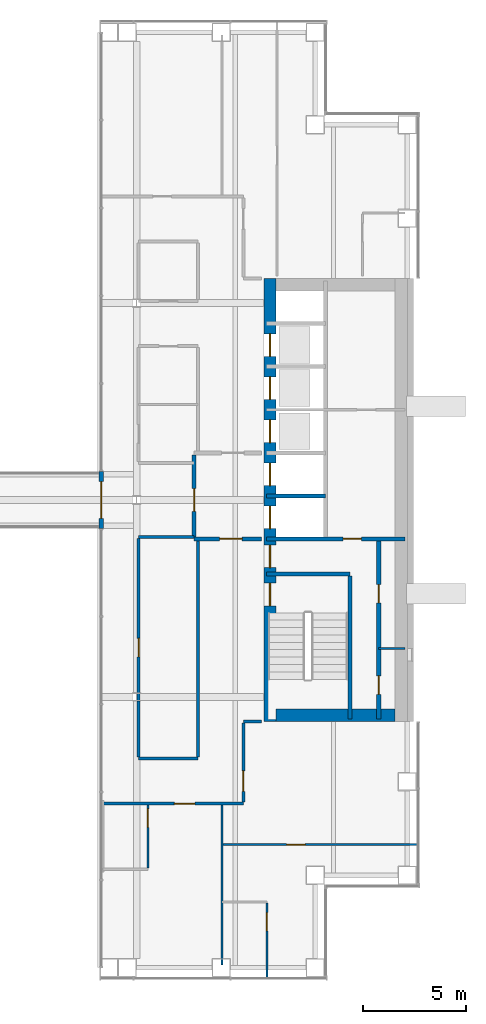
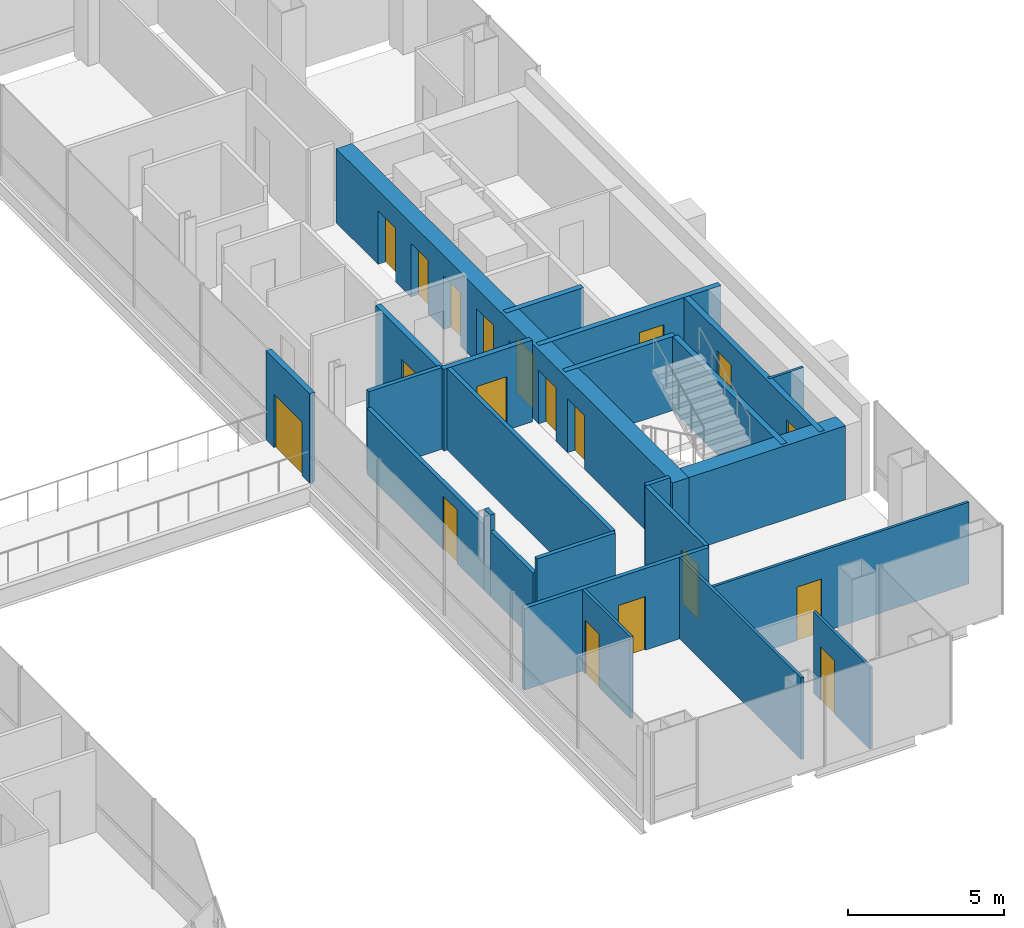
# One storey, part 13 of 17: 24 walls, 19 doors, 19 openings.
"""IFC4 building model written with IfcOpenShell, lengths in metres."""

from ifc_helpers import new_model, si_unit, direction, frame, frame_2d, origin, place, context, subcontext, project, spatial, rectangle, extrude, material, layer, layer_set, type_object, element, fill, save


model = new_model("IFC4")

# Units and contexts
model_context = context("Model", 3, precision=1e-05, world=origin(), true_north=direction((0.0, 1.0)))
body_context = subcontext(model_context, "Body", "Model", "MODEL_VIEW")
ifc_project = project(units=[si_unit("LENGTHUNIT", "METRE"), si_unit("AREAUNIT", "SQUARE_METRE"), si_unit("VOLUMEUNIT", "CUBIC_METRE"), si_unit("PLANEANGLEUNIT", "RADIAN"), si_unit("MASSUNIT", "GRAM", prefix="KILO")], contexts=[model_context])

# Site, building, storey
site_placement = place(None, origin())
site = spatial("IfcSite", under=ifc_project, at=site_placement, CompositionType="ELEMENT")
building_placement = place(site_placement, origin())
building = spatial("IfcBuilding", under=site, at=building_placement, Name="Cobrizo Arcos Hotel Tower", CompositionType="ELEMENT")
storey_placement = place(building_placement, frame((0.0, 0.0, 134.5)))
storey = spatial("IfcBuildingStorey", under=building, at=storey_placement, Name="L34", CompositionType="ELEMENT", Elevation=134.5)

# Wall, opening, door
ifc_material_1 = material(Name="Gypsum board partition")
ifc_layer_1 = layer(ifc_material_1, 0.14990234375)
ifc_layer_set_1 = layer_set([ifc_layer_1], Name="Corridor wall EI 60 150")
wall_type_1 = type_object("IfcWallType", Name="Corridor wall EI 60 150", PredefinedType="PARTITIONING", material=ifc_layer_set_1)
wall_1_placement = place(storey_placement, frame((7.949951171875, -14.800048828125, 0.0), z_axis=(0.0, 0.0, 1.0), x_axis=(1.0, 0.0, 0.0)))
wall_1 = element("IfcWall", 1, at=wall_1_placement, inside=storey, type_object=wall_type_1, Name="Partition 008", PredefinedType="PARTITIONING", context=body_context, shape_type="SweptSolid", body=[
    extrude(rectangle(XDim=6.85009765625, YDim=0.14990234375, at=frame_2d((3.425048828125, 0.0))), origin(), (0.0, 0.0, 1.0), 3.199951171875),
])
opening_1_placement = place(wall_1_placement, frame((3.487060546875, 0.0, 0.0)))
opening_1 = element("IfcOpeningElement", 2, at=opening_1_placement, cuts=wall_1, Name="Opening GD-02", PredefinedType="OPENING", context=body_context, shape_type="SweptSolid", body=[
    extrude(rectangle(XDim=1.0, YDim=2.10009765625, at=frame_2d((0.5, 1.050048828125))), frame((0.0, 0.0869140625, 0.0), z_axis=(0.0, -1.0, 0.0), x_axis=(1.0, 0.0, 0.0)), (0.0, 0.0, 1.0), 0.173828125),
])
ifc_material_2 = material(Name="Timber door leaf", Category="wood")
door_type_1 = type_object("IfcDoorType", Name="Guest room door FD30S 1000x2100", OperationType="SINGLE_SWING_LEFT", PredefinedType="DOOR", material=ifc_material_2)
door_1_placement = place(opening_1_placement, origin())
door_1 = element("IfcDoor", 3, at=door_1_placement, inside=storey, type_object=door_type_1, Name="Door GD-02", OperationType="SINGLE_SWING_LEFT", OverallHeight=2.10009765625, OverallWidth=1.0, PredefinedType="DOOR", context=body_context, shape_type="SweptSolid", body=[
    extrude(rectangle(XDim=1.0, YDim=2.10009765625, at=frame_2d((0.5, 1.050048828125))), frame((0.0, 0.02490234375, 0.0), z_axis=(0.0, -1.0, 0.0), x_axis=(1.0, 0.0, 0.0)), (0.0, 0.0, 1.0), 0.050048828125),
])
fill(opening_1, door_1)

# Walls
wall_2_placement = place(storey_placement, frame((9.699951171875, -12.60009765625, 0.0), z_axis=(0.0, 0.0, 1.0), x_axis=(1.0, 0.0, 0.0)))
element("IfcWall", 4, at=wall_2_placement, inside=storey, type_object=wall_type_1, Name="Partition 010", PredefinedType="PARTITIONING", context=body_context, shape_type="SweptSolid", body=[
    extrude(rectangle(XDim=2.900146484375, YDim=0.14990234375, at=frame_2d((1.4501953125, 0.0))), origin(), (0.0, 0.0, 1.0), 3.199951171875),
])
wall_3_placement = place(storey_placement, frame((14.800048828125, -10.800048828125, 0.0), z_axis=(0.0, 0.0, 1.0), x_axis=(1.0, 0.0, 0.0)))
element("IfcWall", 5, at=wall_3_placement, inside=storey, type_object=wall_type_1, Name="Partition 012", PredefinedType="PARTITIONING", context=body_context, shape_type="SweptSolid", body=[
    extrude(rectangle(XDim=0.8798828125, YDim=0.14990234375, at=frame_2d((0.43994140625, 0.0))), origin(), (0.0, 0.0, 1.0), 3.199951171875),
])
wall_4_placement = place(storey_placement, frame((9.699951171875, -1.800048828125, 0.0), z_axis=(0.0, 0.0, 1.0), x_axis=(1.0, 0.0, 0.0)))
element("IfcWall", 6, at=wall_4_placement, inside=storey, type_object=wall_type_1, Name="Partition 022", PredefinedType="PARTITIONING", context=body_context, shape_type="SweptSolid", body=[
    extrude(rectangle(XDim=2.699951171875, YDim=0.14990234375, at=frame_2d((1.35009765625, 0.0))), origin(), (0.0, 0.0, 1.0), 3.199951171875),
])
wall_5_placement = place(storey_placement, frame((9.699951171875, -12.52490234375, 0.0), z_axis=(0.0, 0.0, 1.0), x_axis=(0.0, 1.0, 0.0)))
element("IfcWall", 7, at=wall_5_placement, inside=storey, type_object=wall_type_1, Name="Partition 071", PredefinedType="PARTITIONING", context=body_context, shape_type="SweptSolid", body=[
    extrude(rectangle(XDim=2.724853515625, YDim=0.14990234375, at=frame_2d((1.3623046875, 0.0))), origin(), (0.0, 0.0, 1.0), 2.577880859375),
])
wall_6_placement = place(storey_placement, frame((9.699951171875, -9.800048828125, 0.0), z_axis=(0.0, 0.0, 1.0), x_axis=(0.0, 1.0, 0.0)))
element("IfcWall", 8, at=wall_6_placement, inside=storey, type_object=wall_type_1, Name="Partition 072", PredefinedType="PARTITIONING", context=body_context, shape_type="SweptSolid", body=[
    extrude(rectangle(XDim=0.401123046875, YDim=0.14990234375, at=frame_2d((0.20068359375, 0.0))), origin(), (0.0, 0.0, 1.0), 3.199951171875),
])

# Wall, opening, door
wall_7_placement = place(storey_placement, frame((9.699951171875, -9.39892578125, 0.0), z_axis=(0.0, 0.0, 1.0), x_axis=(0.0, 1.0, 0.0)))
wall_7 = element("IfcWall", 9, at=wall_7_placement, inside=storey, type_object=wall_type_1, Name="Partition 073", PredefinedType="PARTITIONING", context=body_context, shape_type="SweptSolid", body=[
    extrude(rectangle(XDim=7.52392578125, YDim=0.14990234375, at=frame_2d((3.761962890625, 0.0))), origin(), (0.0, 0.0, 1.0), 2.577880859375),
])
opening_2_placement = place(wall_7_placement, frame((1.7490234375, 0.0, 0.0)))
opening_2 = element("IfcOpeningElement", 10, at=opening_2_placement, cuts=wall_7, Name="Opening RD-17", PredefinedType="OPENING", context=body_context, shape_type="SweptSolid", body=[
    extrude(rectangle(XDim=0.89990234375, YDim=2.10009765625, at=frame_2d((0.449951171875, 1.050048828125))), frame((0.0, 0.0869140625, 0.0), z_axis=(0.0, -1.0, 0.0), x_axis=(1.0, 0.0, 0.0)), (0.0, 0.0, 1.0), 0.173828125),
])
door_type_2 = type_object("IfcDoorType", Name="Room door FD30 900x2100", OperationType="SINGLE_SWING_LEFT", PredefinedType="DOOR", material=ifc_material_2)
door_2_placement = place(opening_2_placement, origin())
door_2 = element("IfcDoor", 11, at=door_2_placement, inside=storey, type_object=door_type_2, Name="Door RD-17", OperationType="SINGLE_SWING_LEFT", OverallHeight=2.10009765625, OverallWidth=0.89990234375, PredefinedType="DOOR", context=body_context, shape_type="SweptSolid", body=[
    extrude(rectangle(XDim=0.89990234375, YDim=2.10009765625, at=frame_2d((0.449951171875, 1.050048828125))), frame((0.0, 0.02490234375, 0.0), z_axis=(0.0, -1.0, 0.0), x_axis=(1.0, 0.0, 0.0)), (0.0, 0.0, 1.0), 0.050048828125),
])
fill(opening_2, door_2)

# Wall
wall_8_placement = place(storey_placement, frame((12.60009765625, -12.52490234375, 0.0), z_axis=(0.0, 0.0, 1.0), x_axis=(0.0, 1.0, 0.0)))
element("IfcWall", 12, at=wall_8_placement, inside=storey, type_object=wall_type_1, Name="Partition 078", PredefinedType="PARTITIONING", context=body_context, shape_type="SweptSolid", body=[
    extrude(rectangle(XDim=10.52490234375, YDim=0.14990234375, at=frame_2d((5.262451171875, 0.0))), origin(), (0.0, 0.0, 1.0), 3.199951171875),
])

# Wall, opening, door
wall_9_placement = place(storey_placement, frame((14.800048828125, -14.72509765625, 0.0), z_axis=(0.0, 0.0, 1.0), x_axis=(0.0, 1.0, 0.0)))
wall_9 = element("IfcWall", 13, at=wall_9_placement, inside=storey, type_object=wall_type_1, Name="Partition 083", PredefinedType="PARTITIONING", context=body_context, shape_type="SweptSolid", body=[
    extrude(rectangle(XDim=3.85009765625, YDim=0.14990234375, at=frame_2d((1.925048828125, 0.0))), origin(), (0.0, 0.0, 1.0), 3.199951171875),
])
opening_3_placement = place(wall_9_placement, frame((0.52490234375, 0.0, 0.0)))
opening_3 = element("IfcOpeningElement", 14, at=opening_3_placement, cuts=wall_9, Name="Opening GD-06", PredefinedType="OPENING", context=body_context, shape_type="SweptSolid", body=[
    extrude(rectangle(XDim=1.0, YDim=2.10009765625, at=frame_2d((0.5, 1.050048828125))), frame((0.0, 0.0869140625, 0.0), z_axis=(0.0, -1.0, 0.0), x_axis=(1.0, 0.0, 0.0)), (0.0, 0.0, 1.0), 0.173828125),
])
door_3_placement = place(opening_3_placement, origin())
door_3 = element("IfcDoor", 15, at=door_3_placement, inside=storey, type_object=door_type_1, Name="Door GD-06", OperationType="SINGLE_SWING_RIGHT", OverallHeight=2.10009765625, OverallWidth=1.0, PredefinedType="DOOR", context=body_context, shape_type="SweptSolid", body=[
    extrude(rectangle(XDim=1.0, YDim=2.10009765625, at=frame_2d((0.5, 1.050048828125))), frame((0.0, 0.02490234375, 0.0), z_axis=(0.0, -1.0, 0.0), x_axis=(1.0, 0.0, 0.0)), (0.0, 0.0, 1.0), 0.050048828125),
])
fill(opening_3, door_3)

ifc_material_3 = material(Name="Aluminium 6063-T6 anodised pale", Category="aluminium")
ifc_layer_2 = layer(ifc_material_3, 0.199951171875)
ifc_layer_set_2 = layer_set([ifc_layer_2], Name="EW-4 sky bridge door frame wall")
wall_type_2 = type_object("IfcWallType", Name="EW-4 sky bridge door frame wall", PredefinedType="SOLIDWALL", material=ifc_layer_set_2)
wall_10_placement = place(storey_placement, frame((7.875, -1.39990234375, 0.0), z_axis=(0.0, 0.0, 1.0), x_axis=(0.0, 1.0, 0.0)))
wall_10 = element("IfcWall", 16, at=wall_10_placement, inside=storey, type_object=wall_type_2, Name="Sky bridge door wall B E", PredefinedType="SOLIDWALL", context=body_context, shape_type="SweptSolid", body=[
    extrude(rectangle(XDim=2.7998046875, YDim=0.199951171875, at=frame_2d((1.39990234375, 0.0))), origin(), (0.0, 0.0, 1.0), 3.5),
])
opening_4_placement = place(wall_10_placement, frame((0.5, 0.0, 0.0)))
opening_4 = element("IfcOpeningElement", 17, at=opening_4_placement, cuts=wall_10, Name="Opening E-54", PredefinedType="OPENING", context=body_context, shape_type="SweptSolid", body=[
    extrude(rectangle(XDim=1.800048828125, YDim=2.10009765625, at=frame_2d((0.89990234375, 1.050048828125))), frame((0.0, 0.112060546875, 0.0), z_axis=(0.0, -1.0, 0.0), x_axis=(1.0, 0.0, 0.0)), (0.0, 0.0, 1.0), 0.223876953125),
])
ifc_material_4 = material(Name="Aluminium 6063-T6 and clear laminated glass", Category="aluminium")
door_type_3 = type_object("IfcDoorType", Name="D-B1 sky bridge double door 1800x2100", OperationType="DOUBLE_DOOR_DOUBLE_SWING", PredefinedType="DOOR", material=ifc_material_4)
door_4_placement = place(opening_4_placement, origin())
door_4 = element("IfcDoor", 18, at=door_4_placement, inside=storey, type_object=door_type_3, Name="Sky bridge door wall B E door E-54", OperationType="DOUBLE_DOOR_DOUBLE_SWING", OverallHeight=2.10009765625, OverallWidth=1.800048828125, PredefinedType="DOOR", context=body_context, shape_type="SweptSolid", body=[
    extrude(rectangle(XDim=1.800048828125, YDim=2.10009765625, at=frame_2d((0.89990234375, 1.050048828125))), frame((0.0, 0.02490234375, 0.0), z_axis=(0.0, -1.0, 0.0), x_axis=(1.0, 0.0, 0.0)), (0.0, 0.0, 1.0), 0.050048828125),
])
fill(opening_4, door_4)

ifc_layer_3 = layer(ifc_material_1, 0.10009765625)
ifc_layer_set_3 = layer_set([ifc_layer_3], Name="Partition EI 30 100")
wall_type_3 = type_object("IfcWallType", Name="Partition EI 30 100", PredefinedType="PARTITIONING", material=ifc_layer_set_3)
wall_11_placement = place(storey_placement, frame((13.75, -16.800048828125, 0.0), z_axis=(0.0, 0.0, 1.0), x_axis=(1.0, 0.0, 0.0)))
wall_11 = element("IfcWall", 19, at=wall_11_placement, inside=storey, type_object=wall_type_3, Name="Partition 005", PredefinedType="PARTITIONING", context=body_context, shape_type="SweptSolid", body=[
    extrude(rectangle(XDim=9.530029296875, YDim=0.10009765625, at=frame_2d((4.76513671875, 0.0))), origin(), (0.0, 0.0, 1.0), 3.199951171875),
])
opening_5_placement = place(wall_11_placement, frame((3.1630859375, 0.0, 0.0)))
opening_5 = element("IfcOpeningElement", 20, at=opening_5_placement, cuts=wall_11, Name="Opening RD-12", PredefinedType="OPENING", context=body_context, shape_type="SweptSolid", body=[
    extrude(rectangle(XDim=0.89990234375, YDim=2.10009765625, at=frame_2d((0.449951171875, 1.050048828125))), frame((0.0, 0.06201171875, 0.0), z_axis=(0.0, -1.0, 0.0), x_axis=(1.0, 0.0, 0.0)), (0.0, 0.0, 1.0), 0.1240234375),
])
door_5_placement = place(opening_5_placement, origin())
door_5 = element("IfcDoor", 21, at=door_5_placement, inside=storey, type_object=door_type_2, Name="Door RD-12", OperationType="SINGLE_SWING_RIGHT", OverallHeight=2.10009765625, OverallWidth=0.89990234375, PredefinedType="DOOR", context=body_context, shape_type="SweptSolid", body=[
    extrude(rectangle(XDim=0.89990234375, YDim=2.10009765625, at=frame_2d((0.449951171875, 1.050048828125))), frame((0.0, 0.02490234375, 0.0), z_axis=(0.0, -1.0, 0.0), x_axis=(1.0, 0.0, 0.0)), (0.0, 0.0, 1.0), 0.050048828125),
])
fill(opening_5, door_5)

# Wall
wall_12_placement = place(storey_placement, frame((21.39990234375, -7.25, 0.0), z_axis=(0.0, 0.0, 1.0), x_axis=(1.0, 0.0, 0.0)))
element("IfcWall", 22, at=wall_12_placement, inside=storey, type_object=wall_type_3, Name="Partition 014", PredefinedType="PARTITIONING", context=body_context, shape_type="SweptSolid", body=[
    extrude(rectangle(XDim=1.280029296875, YDim=0.10009765625, at=frame_2d((0.64013671875, 0.0))), origin(), (0.0, 0.0, 1.0), 2.89990234375),
])

# Wall, opening, door
wall_13_placement = place(storey_placement, frame((10.14990234375, -17.949951171875, 0.0), z_axis=(0.0, 0.0, 1.0), x_axis=(0.0, 1.0, 0.0)))
wall_13 = element("IfcWall", 23, at=wall_13_placement, inside=storey, type_object=wall_type_3, Name="Partition 076", PredefinedType="PARTITIONING", context=body_context, shape_type="SweptSolid", body=[
    extrude(rectangle(XDim=3.074951171875, YDim=0.10009765625, at=frame_2d((1.53759765625, 0.0))), origin(), (0.0, 0.0, 1.0), 3.199951171875),
])
opening_6_placement = place(wall_13_placement, frame((1.99609375, 0.0, 0.0)))
opening_6 = element("IfcOpeningElement", 24, at=opening_6_placement, cuts=wall_13, Name="Opening ED-02", PredefinedType="OPENING", context=body_context, shape_type="SweptSolid", body=[
    extrude(rectangle(XDim=0.89990234375, YDim=2.10009765625, at=frame_2d((0.449951171875, 1.050048828125))), frame((0.0, 0.06201171875, 0.0), z_axis=(0.0, -1.0, 0.0), x_axis=(1.0, 0.0, 0.0)), (0.0, 0.0, 1.0), 0.1240234375),
])
door_type_4 = type_object("IfcDoorType", Name="En-suite door 900x2100", OperationType="SINGLE_SWING_LEFT", PredefinedType="DOOR", material=ifc_material_2)
door_6_placement = place(opening_6_placement, origin())
door_6 = element("IfcDoor", 25, at=door_6_placement, inside=storey, type_object=door_type_4, Name="Door ED-02", OperationType="SINGLE_SWING_RIGHT", OverallHeight=2.10009765625, OverallWidth=0.89990234375, PredefinedType="DOOR", context=body_context, shape_type="SweptSolid", body=[
    extrude(rectangle(XDim=0.89990234375, YDim=2.10009765625, at=frame_2d((0.449951171875, 1.050048828125))), frame((0.0, 0.02490234375, 0.0), z_axis=(0.0, -1.0, 0.0), x_axis=(1.0, 0.0, 0.0)), (0.0, 0.0, 1.0), 0.050048828125),
])
fill(opening_6, door_6)

# Wall
wall_14_placement = place(storey_placement, frame((13.75, -22.679931640625, 0.0), z_axis=(0.0, 0.0, 1.0), x_axis=(0.0, 1.0, 0.0)))
element("IfcWall", 26, at=wall_14_placement, inside=storey, type_object=wall_type_3, Name="Partition 081", PredefinedType="PARTITIONING", context=body_context, shape_type="SweptSolid", body=[
    extrude(rectangle(XDim=7.804931640625, YDim=0.10009765625, at=frame_2d((3.90234375, 0.0))), origin(), (0.0, 0.0, 1.0), 3.199951171875),
])

# Wall, opening, door
wall_15_placement = place(storey_placement, frame((15.949951171875, -23.280029296875, 0.0), z_axis=(0.0, 0.0, 1.0), x_axis=(0.0, 1.0, 0.0)))
wall_15 = element("IfcWall", 27, at=wall_15_placement, inside=storey, type_object=wall_type_3, Name="Partition 085", PredefinedType="PARTITIONING", context=body_context, shape_type="SweptSolid", body=[
    extrude(rectangle(XDim=3.630126953125, YDim=0.10009765625, at=frame_2d((1.81494140625, 0.0))), origin(), (0.0, 0.0, 1.0), 3.199951171875),
])
opening_7_placement = place(wall_15_placement, frame((2.27001953125, 0.0, 0.0)))
opening_7 = element("IfcOpeningElement", 28, at=opening_7_placement, cuts=wall_15, Name="Opening ED-06", PredefinedType="OPENING", context=body_context, shape_type="SweptSolid", body=[
    extrude(rectangle(XDim=0.89990234375, YDim=2.10009765625, at=frame_2d((0.449951171875, 1.050048828125))), frame((0.0, 0.06201171875, 0.0), z_axis=(0.0, -1.0, 0.0), x_axis=(1.0, 0.0, 0.0)), (0.0, 0.0, 1.0), 0.1240234375),
])
door_7_placement = place(opening_7_placement, origin())
door_7 = element("IfcDoor", 29, at=door_7_placement, inside=storey, type_object=door_type_4, Name="Door ED-06", OperationType="SINGLE_SWING_RIGHT", OverallHeight=2.10009765625, OverallWidth=0.89990234375, PredefinedType="DOOR", context=body_context, shape_type="SweptSolid", body=[
    extrude(rectangle(XDim=0.89990234375, YDim=2.10009765625, at=frame_2d((0.449951171875, 1.050048828125))), frame((0.0, 0.02490234375, 0.0), z_axis=(0.0, -1.0, 0.0), x_axis=(1.0, 0.0, 0.0)), (0.0, 0.0, 1.0), 0.050048828125),
])
fill(opening_7, door_7)

# Wall, openings, doors
ifc_material_5 = material(Name="Concrete f'c 50 MPa", Category="concrete")
ifc_layer_4 = layer(ifc_material_5, 0.60009765625)
ifc_layer_set_4 = layer_set([ifc_layer_4], Name="RC core wall 600 f'c 50")
wall_type_4 = type_object("IfcWallType", Name="RC core wall 600 f'c 50", PredefinedType="SHEAR", material=ifc_layer_set_4)
wall_16_placement = place(storey_placement, frame((16.10009765625, -10.800048828125, 0.0), z_axis=(0.0, 0.0, 1.0), x_axis=(0.0, 1.0, 0.0)))
wall_16 = element("IfcWall", 30, at=wall_16_placement, inside=storey, type_object=wall_type_4, Name="Core wall CW2, east core, inner face, L34", PredefinedType="SHEAR", context=body_context, shape_type="SweptSolid", body=[
    extrude(rectangle(XDim=21.60009765625, YDim=0.60009765625, at=frame_2d((10.800048828125, 0.0))), origin(), (0.0, 0.0, 1.0), 2.89990234375),
])
opening_8_placement = place(wall_16_placement, frame((9.39990234375, 0.0, 0.0)))
opening_8 = element("IfcOpeningElement", 31, at=opening_8_placement, cuts=wall_16, Name="Opening LD-06", PredefinedType="OPENING", context=body_context, shape_type="SweptSolid", body=[
    extrude(rectangle(XDim=1.10009765625, YDim=2.10009765625, at=frame_2d((0.550048828125, 1.050048828125))), frame((0.0, 0.31201171875, 0.0), z_axis=(0.0, -1.0, 0.0), x_axis=(1.0, 0.0, 0.0)), (0.0, 0.0, 1.0), 0.6240234375),
])
opening_9_placement = place(wall_16_placement, frame((11.5, 0.0, 0.0)))
opening_9 = element("IfcOpeningElement", 32, at=opening_9_placement, cuts=wall_16, Name="Opening LD-07", PredefinedType="OPENING", context=body_context, shape_type="SweptSolid", body=[
    extrude(rectangle(XDim=1.10009765625, YDim=2.10009765625, at=frame_2d((0.550048828125, 1.050048828125))), frame((0.0, 0.31201171875, 0.0), z_axis=(0.0, -1.0, 0.0), x_axis=(1.0, 0.0, 0.0)), (0.0, 0.0, 1.0), 0.6240234375),
])
opening_10_placement = place(wall_16_placement, frame((13.60009765625, 0.0, 0.0)))
opening_10 = element("IfcOpeningElement", 33, at=opening_10_placement, cuts=wall_16, Name="Opening LD-08", PredefinedType="OPENING", context=body_context, shape_type="SweptSolid", body=[
    extrude(rectangle(XDim=1.10009765625, YDim=2.10009765625, at=frame_2d((0.550048828125, 1.050048828125))), frame((0.0, 0.31201171875, 0.0), z_axis=(0.0, -1.0, 0.0), x_axis=(1.0, 0.0, 0.0)), (0.0, 0.0, 1.0), 0.6240234375),
])
opening_11_placement = place(wall_16_placement, frame((15.699951171875, 0.0, 0.0)))
opening_11 = element("IfcOpeningElement", 34, at=opening_11_placement, cuts=wall_16, Name="Opening LD-09", PredefinedType="OPENING", context=body_context, shape_type="SweptSolid", body=[
    extrude(rectangle(XDim=1.10009765625, YDim=2.10009765625, at=frame_2d((0.550048828125, 1.050048828125))), frame((0.0, 0.31201171875, 0.0), z_axis=(0.0, -1.0, 0.0), x_axis=(1.0, 0.0, 0.0)), (0.0, 0.0, 1.0), 0.6240234375),
])
opening_12_placement = place(wall_16_placement, frame((17.800048828125, 0.0, 0.0)))
opening_12 = element("IfcOpeningElement", 35, at=opening_12_placement, cuts=wall_16, Name="Opening LD-10", PredefinedType="OPENING", context=body_context, shape_type="SweptSolid", body=[
    extrude(rectangle(XDim=1.10009765625, YDim=2.10009765625, at=frame_2d((0.550048828125, 1.050048828125))), frame((0.0, 0.31201171875, 0.0), z_axis=(0.0, -1.0, 0.0), x_axis=(1.0, 0.0, 0.0)), (0.0, 0.0, 1.0), 0.6240234375),
])
opening_13_placement = place(wall_16_placement, frame((5.64208984375, 0.0, 0.0)))
opening_13 = element("IfcOpeningElement", 36, at=opening_13_placement, cuts=wall_16, Name="Opening SD-02", PredefinedType="OPENING", context=body_context, shape_type="SweptSolid", body=[
    extrude(rectangle(XDim=1.10009765625, YDim=2.10009765625, at=frame_2d((0.550048828125, 1.050048828125))), frame((0.0, 0.31201171875, 0.0), z_axis=(0.0, -1.0, 0.0), x_axis=(1.0, 0.0, 0.0)), (0.0, 0.0, 1.0), 0.6240234375),
])
opening_14_placement = place(wall_16_placement, frame((7.5, 0.0, 0.0)))
opening_14 = element("IfcOpeningElement", 37, at=opening_14_placement, cuts=wall_16, Name="Opening FD-05", PredefinedType="OPENING", context=body_context, shape_type="SweptSolid", body=[
    extrude(rectangle(XDim=1.10009765625, YDim=2.10009765625, at=frame_2d((0.550048828125, 1.050048828125))), frame((0.0, 0.31201171875, 0.0), z_axis=(0.0, -1.0, 0.0), x_axis=(1.0, 0.0, 0.0)), (0.0, 0.0, 1.0), 0.6240234375),
])
ifc_material_6 = material(Name="Steel door leaf", Category="steel")
door_type_5 = type_object("IfcDoorType", Name="Fire door FD60 1100x2100", OperationType="SINGLE_SWING_LEFT", PredefinedType="DOOR", material=ifc_material_6)
door_8_placement = place(opening_14_placement, origin())
door_8 = element("IfcDoor", 38, at=door_8_placement, inside=storey, type_object=door_type_5, Name="Door FD-05", OperationType="SINGLE_SWING_RIGHT", OverallHeight=2.10009765625, OverallWidth=1.10009765625, PredefinedType="DOOR", context=body_context, shape_type="SweptSolid", body=[
    extrude(rectangle(XDim=1.10009765625, YDim=2.10009765625, at=frame_2d((0.550048828125, 1.050048828125))), frame((0.0, 0.02490234375, 0.0), z_axis=(0.0, -1.0, 0.0), x_axis=(1.0, 0.0, 0.0)), (0.0, 0.0, 1.0), 0.050048828125),
])
fill(opening_14, door_8)
door_type_6 = type_object("IfcDoorType", Name="Lift landing door 1100x2100", OperationType="SLIDING_TO_LEFT", PredefinedType="DOOR", material=ifc_material_6)
door_9_placement = place(opening_8_placement, origin())
door_9 = element("IfcDoor", 39, at=door_9_placement, inside=storey, type_object=door_type_6, Name="Lift landing door LD-06", OperationType="SLIDING_TO_LEFT", OverallHeight=2.10009765625, OverallWidth=1.10009765625, PredefinedType="DOOR", context=body_context, shape_type="SweptSolid", body=[
    extrude(rectangle(XDim=1.10009765625, YDim=2.10009765625, at=frame_2d((0.550048828125, 1.050048828125))), frame((0.0, 0.02490234375, 0.0), z_axis=(0.0, -1.0, 0.0), x_axis=(1.0, 0.0, 0.0)), (0.0, 0.0, 1.0), 0.050048828125),
])
fill(opening_8, door_9)
door_10_placement = place(opening_9_placement, origin())
door_10 = element("IfcDoor", 40, at=door_10_placement, inside=storey, type_object=door_type_6, Name="Lift landing door LD-07", OperationType="SLIDING_TO_LEFT", OverallHeight=2.10009765625, OverallWidth=1.10009765625, PredefinedType="DOOR", context=body_context, shape_type="SweptSolid", body=[
    extrude(rectangle(XDim=1.10009765625, YDim=2.10009765625, at=frame_2d((0.550048828125, 1.050048828125))), frame((0.0, 0.02490234375, 0.0), z_axis=(0.0, -1.0, 0.0), x_axis=(1.0, 0.0, 0.0)), (0.0, 0.0, 1.0), 0.050048828125),
])
fill(opening_9, door_10)
door_11_placement = place(opening_10_placement, origin())
door_11 = element("IfcDoor", 41, at=door_11_placement, inside=storey, type_object=door_type_6, Name="Lift landing door LD-08", OperationType="SLIDING_TO_LEFT", OverallHeight=2.10009765625, OverallWidth=1.10009765625, PredefinedType="DOOR", context=body_context, shape_type="SweptSolid", body=[
    extrude(rectangle(XDim=1.10009765625, YDim=2.10009765625, at=frame_2d((0.550048828125, 1.050048828125))), frame((0.0, 0.02490234375, 0.0), z_axis=(0.0, -1.0, 0.0), x_axis=(1.0, 0.0, 0.0)), (0.0, 0.0, 1.0), 0.050048828125),
])
fill(opening_10, door_11)
door_12_placement = place(opening_11_placement, origin())
door_12 = element("IfcDoor", 42, at=door_12_placement, inside=storey, type_object=door_type_6, Name="Lift landing door LD-09", OperationType="SLIDING_TO_LEFT", OverallHeight=2.10009765625, OverallWidth=1.10009765625, PredefinedType="DOOR", context=body_context, shape_type="SweptSolid", body=[
    extrude(rectangle(XDim=1.10009765625, YDim=2.10009765625, at=frame_2d((0.550048828125, 1.050048828125))), frame((0.0, 0.02490234375, 0.0), z_axis=(0.0, -1.0, 0.0), x_axis=(1.0, 0.0, 0.0)), (0.0, 0.0, 1.0), 0.050048828125),
])
fill(opening_11, door_12)
door_13_placement = place(opening_12_placement, origin())
door_13 = element("IfcDoor", 43, at=door_13_placement, inside=storey, type_object=door_type_6, Name="Lift landing door LD-10", OperationType="SLIDING_TO_LEFT", OverallHeight=2.10009765625, OverallWidth=1.10009765625, PredefinedType="DOOR", context=body_context, shape_type="SweptSolid", body=[
    extrude(rectangle(XDim=1.10009765625, YDim=2.10009765625, at=frame_2d((0.550048828125, 1.050048828125))), frame((0.0, 0.02490234375, 0.0), z_axis=(0.0, -1.0, 0.0), x_axis=(1.0, 0.0, 0.0)), (0.0, 0.0, 1.0), 0.050048828125),
])
fill(opening_12, door_13)
door_type_7 = type_object("IfcDoorType", Name="Stair door FD60S 1100x2100", OperationType="SINGLE_SWING_LEFT", PredefinedType="DOOR", material=ifc_material_6)
door_14_placement = place(opening_13_placement, origin())
door_14 = element("IfcDoor", 44, at=door_14_placement, inside=storey, type_object=door_type_7, Name="Door SD-02", OperationType="SINGLE_SWING_RIGHT", OverallHeight=2.10009765625, OverallWidth=1.10009765625, PredefinedType="DOOR", context=body_context, shape_type="SweptSolid", body=[
    extrude(rectangle(XDim=1.10009765625, YDim=2.10009765625, at=frame_2d((0.550048828125, 1.050048828125))), frame((0.0, 0.02490234375, 0.0), z_axis=(0.0, -1.0, 0.0), x_axis=(1.0, 0.0, 0.0)), (0.0, 0.0, 1.0), 0.050048828125),
])
fill(opening_13, door_14)

# Wall
wall_17_placement = place(storey_placement, frame((16.39990234375, -10.5, 0.0), z_axis=(0.0, 0.0, 1.0), x_axis=(1.0, 0.0, 0.0)))
element("IfcWall", 45, at=wall_17_placement, inside=storey, type_object=wall_type_4, Name="Core wall CW2, east core, south end, L34", PredefinedType="SHEAR", context=body_context, shape_type="SweptSolid", body=[
    extrude(rectangle(XDim=5.800048828125, YDim=0.60009765625, at=frame_2d((2.89990234375, 0.0))), origin(), (0.0, 0.0, 1.0), 2.89990234375),
])

# Wall, opening, door
ifc_layer_5 = layer(ifc_material_1, 0.199951171875)
ifc_layer_set_5 = layer_set([ifc_layer_5], Name="Shaft wall EI 120 200")
wall_type_5 = type_object("IfcWallType", Name="Shaft wall EI 120 200", PredefinedType="PARTITIONING", material=ifc_layer_set_5)
wall_18_placement = place(storey_placement, frame((12.39990234375, -1.89990234375, 0.0), z_axis=(0.0, 0.0, 1.0), x_axis=(1.0, 0.0, 0.0)))
wall_18 = element("IfcWall", 46, at=wall_18_placement, inside=storey, type_object=wall_type_5, Name="Partition 019", PredefinedType="PARTITIONING", context=body_context, shape_type="SweptSolid", body=[
    extrude(rectangle(XDim=3.280029296875, YDim=0.199951171875, at=frame_2d((1.64013671875, 0.0))), origin(), (0.0, 0.0, 1.0), 3.199951171875),
])
opening_15_placement = place(wall_18_placement, frame((1.239990234375, 0.0, 0.0)))
opening_15 = element("IfcOpeningElement", 47, at=opening_15_placement, cuts=wall_18, Name="Opening FD-07", PredefinedType="OPENING", context=body_context, shape_type="SweptSolid", body=[
    extrude(rectangle(XDim=1.10009765625, YDim=2.10009765625, at=frame_2d((0.550048828125, 1.050048828125))), frame((0.0, 0.112060546875, 0.0), z_axis=(0.0, -1.0, 0.0), x_axis=(1.0, 0.0, 0.0)), (0.0, 0.0, 1.0), 0.223876953125),
])
door_15_placement = place(opening_15_placement, origin())
door_15 = element("IfcDoor", 48, at=door_15_placement, inside=storey, type_object=door_type_5, Name="Door FD-07", OperationType="SINGLE_SWING_LEFT", OverallHeight=2.10009765625, OverallWidth=1.10009765625, PredefinedType="DOOR", context=body_context, shape_type="SweptSolid", body=[
    extrude(rectangle(XDim=1.10009765625, YDim=2.10009765625, at=frame_2d((0.550048828125, 1.050048828125))), frame((0.0, 0.02490234375, 0.0), z_axis=(0.0, -1.0, 0.0), x_axis=(1.0, 0.0, 0.0)), (0.0, 0.0, 1.0), 0.050048828125),
])
fill(opening_15, door_15)

wall_19_placement = place(storey_placement, frame((15.919921875, -1.89990234375, 0.0), z_axis=(0.0, 0.0, 1.0), x_axis=(1.0, 0.0, 0.0)))
wall_19 = element("IfcWall", 49, at=wall_19_placement, inside=storey, type_object=wall_type_5, Name="Partition 020", PredefinedType="PARTITIONING", context=body_context, shape_type="SweptSolid", body=[
    extrude(rectangle(XDim=6.760009765625, YDim=0.199951171875, at=frame_2d((3.3798828125, 0.0))), origin(), (0.0, 0.0, 1.0), 2.89990234375),
])
opening_16_placement = place(wall_19_placement, frame((3.739990234375, 0.0, 0.0)))
opening_16 = element("IfcOpeningElement", 50, at=opening_16_placement, cuts=wall_19, Name="Opening RD-07", PredefinedType="OPENING", context=body_context, shape_type="SweptSolid", body=[
    extrude(rectangle(XDim=0.89990234375, YDim=2.10009765625, at=frame_2d((0.449951171875, 1.050048828125))), frame((0.0, 0.112060546875, 0.0), z_axis=(0.0, -1.0, 0.0), x_axis=(1.0, 0.0, 0.0)), (0.0, 0.0, 1.0), 0.223876953125),
])
door_16_placement = place(opening_16_placement, origin())
door_16 = element("IfcDoor", 51, at=door_16_placement, inside=storey, type_object=door_type_2, Name="Door RD-07", OperationType="SINGLE_SWING_LEFT", OverallHeight=2.10009765625, OverallWidth=0.89990234375, PredefinedType="DOOR", context=body_context, shape_type="SweptSolid", body=[
    extrude(rectangle(XDim=0.89990234375, YDim=2.10009765625, at=frame_2d((0.449951171875, 1.050048828125))), frame((0.0, 0.02490234375, 0.0), z_axis=(0.0, -1.0, 0.0), x_axis=(1.0, 0.0, 0.0)), (0.0, 0.0, 1.0), 0.050048828125),
])
fill(opening_16, door_16)

# Wall
wall_20_placement = place(storey_placement, frame((15.919921875, 0.199951171875, 0.0), z_axis=(0.0, 0.0, 1.0), x_axis=(1.0, 0.0, 0.0)))
element("IfcWall", 52, at=wall_20_placement, inside=storey, type_object=wall_type_5, Name="Partition 024", PredefinedType="PARTITIONING", context=body_context, shape_type="SweptSolid", body=[
    extrude(rectangle(XDim=2.880126953125, YDim=0.199951171875, at=frame_2d((1.43994140625, 0.0))), origin(), (0.0, 0.0, 1.0), 2.89990234375),
])

# Wall, opening, door
wall_21_placement = place(storey_placement, frame((12.39990234375, -1.800048828125, 0.0), z_axis=(0.0, 0.0, 1.0), x_axis=(0.0, 1.0, 0.0)))
wall_21 = element("IfcWall", 53, at=wall_21_placement, inside=storey, type_object=wall_type_5, Name="Partition 077", PredefinedType="PARTITIONING", context=body_context, shape_type="SweptSolid", body=[
    extrude(rectangle(XDim=4.0, YDim=0.199951171875, at=frame_2d((2.0, 0.0))), origin(), (0.0, 0.0, 1.0), 3.199951171875),
])
opening_17_placement = place(wall_21_placement, frame((1.25, 0.0, 0.0)))
opening_17 = element("IfcOpeningElement", 54, at=opening_17_placement, cuts=wall_21, Name="Opening FD-06", PredefinedType="OPENING", context=body_context, shape_type="SweptSolid", body=[
    extrude(rectangle(XDim=1.10009765625, YDim=2.10009765625, at=frame_2d((0.550048828125, 1.050048828125))), frame((0.0, 0.112060546875, 0.0), z_axis=(0.0, -1.0, 0.0), x_axis=(1.0, 0.0, 0.0)), (0.0, 0.0, 1.0), 0.223876953125),
])
door_17_placement = place(opening_17_placement, origin())
door_17 = element("IfcDoor", 55, at=door_17_placement, inside=storey, type_object=door_type_5, Name="Door FD-06", OperationType="SINGLE_SWING_RIGHT", OverallHeight=2.10009765625, OverallWidth=1.10009765625, PredefinedType="DOOR", context=body_context, shape_type="SweptSolid", body=[
    extrude(rectangle(XDim=1.10009765625, YDim=2.10009765625, at=frame_2d((0.550048828125, 1.050048828125))), frame((0.0, 0.02490234375, 0.0), z_axis=(0.0, -1.0, 0.0), x_axis=(1.0, 0.0, 0.0)), (0.0, 0.0, 1.0), 0.050048828125),
])
fill(opening_17, door_17)

# Wall, openings, doors
wall_22_placement = place(storey_placement, frame((21.39990234375, -10.679931640625, 0.0), z_axis=(0.0, 0.0, 1.0), x_axis=(0.0, 1.0, 0.0)))
wall_22 = element("IfcWall", 56, at=wall_22_placement, inside=storey, type_object=wall_type_5, Name="Partition 091", PredefinedType="PARTITIONING", context=body_context, shape_type="SweptSolid", body=[
    extrude(rectangle(XDim=8.679931640625, YDim=0.199951171875, at=frame_2d((4.33984375, 0.0))), origin(), (0.0, 0.0, 1.0), 2.89990234375),
])
opening_18_placement = place(wall_22_placement, frame((1.2099609375, 0.0, 0.0)))
opening_18 = element("IfcOpeningElement", 57, at=opening_18_placement, cuts=wall_22, Name="Opening RD-05", PredefinedType="OPENING", context=body_context, shape_type="SweptSolid", body=[
    extrude(rectangle(XDim=0.89990234375, YDim=2.10009765625, at=frame_2d((0.449951171875, 1.050048828125))), frame((0.0, 0.112060546875, 0.0), z_axis=(0.0, -1.0, 0.0), x_axis=(1.0, 0.0, 0.0)), (0.0, 0.0, 1.0), 0.223876953125),
])
opening_19_placement = place(wall_22_placement, frame((5.659912109375, 0.0, 0.0)))
opening_19 = element("IfcOpeningElement", 58, at=opening_19_placement, cuts=wall_22, Name="Opening RD-06", PredefinedType="OPENING", context=body_context, shape_type="SweptSolid", body=[
    extrude(rectangle(XDim=0.89990234375, YDim=2.10009765625, at=frame_2d((0.449951171875, 1.050048828125))), frame((0.0, 0.112060546875, 0.0), z_axis=(0.0, -1.0, 0.0), x_axis=(1.0, 0.0, 0.0)), (0.0, 0.0, 1.0), 0.223876953125),
])
door_18_placement = place(opening_18_placement, origin())
door_18 = element("IfcDoor", 59, at=door_18_placement, inside=storey, type_object=door_type_2, Name="Door RD-05", OperationType="SINGLE_SWING_LEFT", OverallHeight=2.10009765625, OverallWidth=0.89990234375, PredefinedType="DOOR", context=body_context, shape_type="SweptSolid", body=[
    extrude(rectangle(XDim=0.89990234375, YDim=2.10009765625, at=frame_2d((0.449951171875, 1.050048828125))), frame((0.0, 0.02490234375, 0.0), z_axis=(0.0, -1.0, 0.0), x_axis=(1.0, 0.0, 0.0)), (0.0, 0.0, 1.0), 0.050048828125),
])
fill(opening_18, door_18)
door_19_placement = place(opening_19_placement, origin())
door_19 = element("IfcDoor", 60, at=door_19_placement, inside=storey, type_object=door_type_2, Name="Door RD-06", OperationType="SINGLE_SWING_RIGHT", OverallHeight=2.10009765625, OverallWidth=0.89990234375, PredefinedType="DOOR", context=body_context, shape_type="SweptSolid", body=[
    extrude(rectangle(XDim=0.89990234375, YDim=2.10009765625, at=frame_2d((0.449951171875, 1.050048828125))), frame((0.0, 0.02490234375, 0.0), z_axis=(0.0, -1.0, 0.0), x_axis=(1.0, 0.0, 0.0)), (0.0, 0.0, 1.0), 0.050048828125),
])
fill(opening_19, door_19)

# Walls
ifc_material_7 = material(Name="Concrete f'c 40 MPa", Category="concrete")
ifc_layer_6 = layer(ifc_material_7, 0.199951171875)
ifc_layer_set_6 = layer_set([ifc_layer_6], Name="Stair shaft wall 200")
wall_type_6 = type_object("IfcWallType", Name="Stair shaft wall 200", PredefinedType="SHEAR", material=ifc_layer_set_6)
wall_23_placement = place(storey_placement, frame((15.919921875, -3.60009765625, 0.0), z_axis=(0.0, 0.0, 1.0), x_axis=(1.0, 0.0, 0.0)))
element("IfcWall", 61, at=wall_23_placement, inside=storey, type_object=wall_type_6, Name="Stair shaft wall E", PredefinedType="SHEAR", context=body_context, shape_type="SweptSolid", body=[
    extrude(rectangle(XDim=4.080078125, YDim=0.199951171875, at=frame_2d((2.0400390625, 0.0))), origin(), (0.0, 0.0, 1.0), 2.89990234375),
])
wall_24_placement = place(storey_placement, frame((20.0, -10.679931640625, 0.0), z_axis=(0.0, 0.0, 1.0), x_axis=(0.0, 1.0, 0.0)))
element("IfcWall", 62, at=wall_24_placement, inside=storey, type_object=wall_type_6, Name="Stair shaft wall E", PredefinedType="SHEAR", context=body_context, shape_type="SweptSolid", body=[
    extrude(rectangle(XDim=6.97998046875, YDim=0.199951171875, at=frame_2d((3.489990234375, 0.0))), origin(), (0.0, 0.0, 1.0), 2.89990234375),
])

save(model, "model.ifc")
